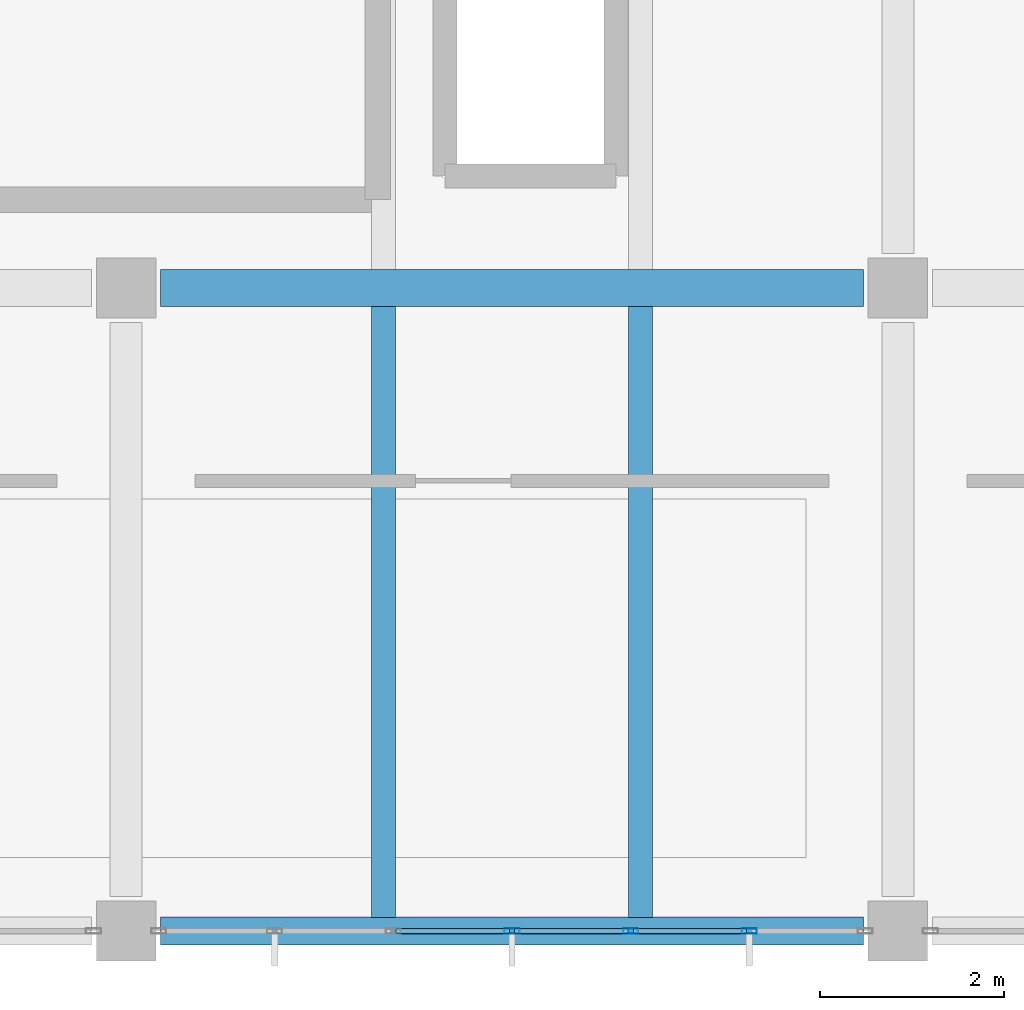
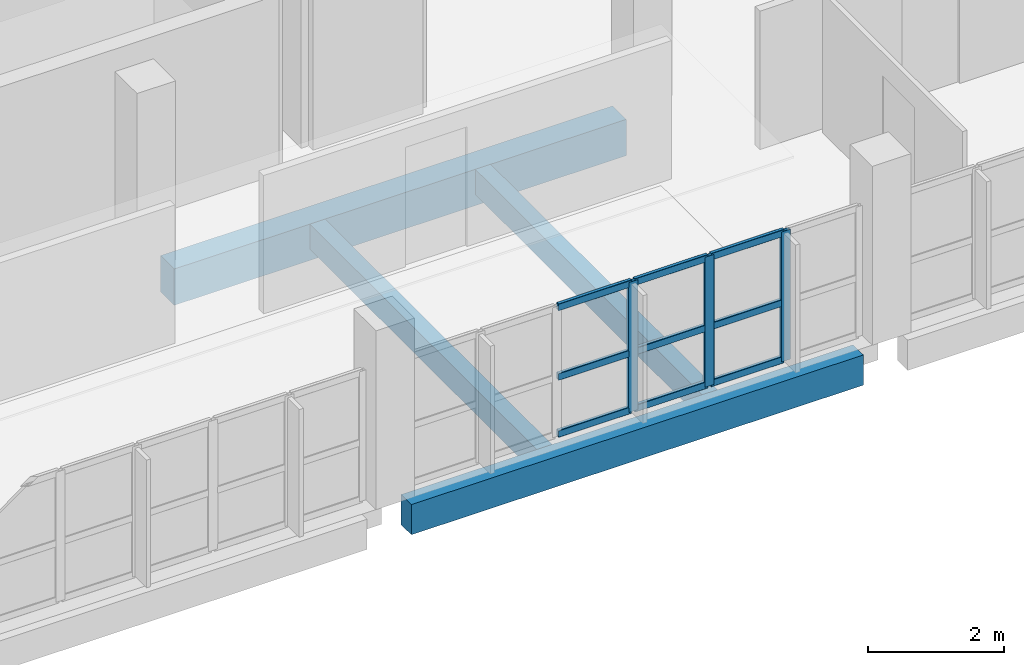
# One storey, part 7 of 33: 12 members, 4 beams, 1 element without a shape of its own.
"""IFC4 building model written with IfcOpenShell, lengths in metres."""

from ifc_helpers import new_model, si_unit, direction, frame, origin, origin_2d, place, context, subcontext, project, spatial, rectangle, hollow_rectangle, extrude, material, layer, layer_set, material_profile, profile_set, type_object, element, aggregate, save


model = new_model("IFC4")

# Units and contexts
model_context = context("Model", 3, precision=1e-05, world=origin(), true_north=direction((0.0, 1.0)))
body_context = subcontext(model_context, "Body", "Model", "MODEL_VIEW")
ifc_project = project(units=[si_unit("LENGTHUNIT", "METRE"), si_unit("AREAUNIT", "SQUARE_METRE"), si_unit("VOLUMEUNIT", "CUBIC_METRE"), si_unit("PLANEANGLEUNIT", "RADIAN"), si_unit("MASSUNIT", "GRAM", prefix="KILO"), si_unit("THERMODYNAMICTEMPERATUREUNIT", "KELVIN"), si_unit("POWERUNIT", "WATT")], contexts=[model_context])

# Site, building, storey
site_placement = place(None, origin())
site = spatial("IfcSite", under=ifc_project, at=site_placement, CompositionType="ELEMENT")
building_placement = place(site_placement, origin())
building = spatial("IfcBuilding", under=site, at=building_placement, Name="Mavoryth Pier Ferry Terminal", CompositionType="ELEMENT")
storey_placement = place(building_placement, frame((0.0, 0.0, 13.1201171875)))
storey = spatial("IfcBuildingStorey", under=building, at=storey_placement, Name="L03", CompositionType="ELEMENT", Elevation=13.1201171875)

# Beams
ifc_material_1 = material(Name="Concrete C35/45", Category="concrete")
ifc_material_profile_1 = material_profile(ifc_material_1, rectangle(XDim=0.39990234375, YDim=0.64990234375, at=origin_2d()), Name="RC 400x650", Category="concrete")
ifc_profile_set_1 = profile_set([ifc_material_profile_1], Name="Concrete C35/45 - RC 400x650")
beam_type_1 = type_object("IfcBeamType", Name="Girder-RC-400x650", PredefinedType="BEAM", material=ifc_profile_set_1)
beam_1_placement = place(storey_placement, frame((67.574951171875, 7.0, -0.585205078125), z_axis=(1.0, 0.0, 0.0), x_axis=(0.0, 1.0, 0.0)))
element("IfcBeam", 1, at=beam_1_placement, inside=storey, type_object=beam_type_1, Name="Beam B03-BG05-1242", PredefinedType="BEAM", context=body_context, shape_type="SweptSolid", body=[
    extrude(rectangle(XDim=0.39990234375, YDim=0.64990234375, at=origin_2d()), origin(), (0.0, 0.0, 1.0), 7.650146484375),
])
ifc_material_profile_2 = material_profile(ifc_material_1, rectangle(XDim=0.260009765625, YDim=0.449951171875, at=origin_2d()), Name="RC 260x450", Category="concrete")
ifc_profile_set_2 = profile_set([ifc_material_profile_2], Name="Concrete C35/45 - RC 260x450")
beam_type_2 = type_object("IfcBeamType", Name="Joist-RC-260x450", PredefinedType="JOIST", material=ifc_profile_set_2)
for number, where, z_axis, x_axis, name in (
    (2, (70.0, 0.14990234375, -0.485107421875), (0.0, 1.0, 0.0), (-1.0, 0.0, 0.0), "Beam B03-BJ03-1292"),
    (3, (72.800048828125, 0.14990234375, -0.485107421875), (0.0, 1.0, 0.0), (-1.0, 0.0, 0.0), "Beam B03-BJ03-1293"),
):
    element("IfcBeam", number, at=place(storey_placement, frame(where, z_axis=z_axis, x_axis=x_axis)), inside=storey, type_object=beam_type_2, Name=name, PredefinedType="JOIST", context=body_context, shape_type="SweptSolid", body=[
        extrude(rectangle(XDim=0.260009765625, YDim=0.449951171875, at=origin_2d()), origin(), (0.0, 0.0, 1.0), 6.650146484375),
    ])

# Curtain wall, members
ifc_material_2 = material(Name="Anodised Aluminium and Solar-Control Low-E Glass", Category="aluminium")
ifc_layer = layer(ifc_material_2, 0.239990234375, Name="Anodised Aluminium and Solar-Control Low-E Glass", Category="aluminium")
ifc_layer_set = layer_set([ifc_layer], Name="Anodised Aluminium and Solar-Control Low-E Glass - CW-Operations-Mod1200")
curtain_wall_type = type_object("IfcCurtainWallType", Name="CW-Operations-Mod1200", PredefinedType="USERDEFINED", material=ifc_layer_set)
curtain_wall_placement = place(storey_placement, origin())
curtain_wall = element("IfcCurtainWall", 4, at=curtain_wall_placement, inside=storey, type_object=curtain_wall_type, Name="Curtain Wall CW-0322-142", ObjectType="UNITISED CURTAIN WALL", PredefinedType="USERDEFINED")
ifc_material_3 = material(Name="Anodised Aluminium EN AW-6063", Category="aluminium")
ifc_material_profile_3 = material_profile(ifc_material_3, hollow_rectangle(XDim=0.06005859375, YDim=0.1650390625, WallThickness=0.00390625, InnerFilletRadius=0.00390625, OuterFilletRadius=0.008056640625, at=origin_2d()), Name="AL-MULL 165x60x4", Category="aluminium")
ifc_profile_set_3 = profile_set([ifc_material_profile_3], Name="Anodised Aluminium EN AW-6063 - AL-MULL 165x60x4")
member_type_1 = type_object("IfcMemberType", Name="Mullion-Alum-165x60", PredefinedType="MULLION", material=ifc_profile_set_3)
member_1_placement = place(storey_placement, frame((71.39990234375, 0.0, 0.0), z_axis=(0.0, 0.0, 1.0), x_axis=(0.0, 1.0, 0.0)))
member_1 = element("IfcMember", 5, at=member_1_placement, type_object=member_type_1, Name="CW06 mullion 4", PredefinedType="MULLION", context=body_context, shape_type="SweptSolid", body=[
    extrude(hollow_rectangle(XDim=0.06005859375, YDim=0.1650390625, WallThickness=0.00390625, InnerFilletRadius=0.00390625, OuterFilletRadius=0.008056640625, at=origin_2d()), origin(), (0.0, 0.0, 1.0), 2.324951171875),
])
member_2_placement = place(storey_placement, frame((72.691650390625, 0.0, 0.0), z_axis=(0.0, 0.0, 1.0), x_axis=(0.0, 1.0, 0.0)))
member_2 = element("IfcMember", 6, at=member_2_placement, type_object=member_type_1, Name="CW06 mullion 5", PredefinedType="MULLION", context=body_context, shape_type="SweptSolid", body=[
    extrude(hollow_rectangle(XDim=0.06005859375, YDim=0.1650390625, WallThickness=0.00390625, InnerFilletRadius=0.00390625, OuterFilletRadius=0.008056640625, at=origin_2d()), origin(), (0.0, 0.0, 1.0), 2.324951171875),
])
member_3_placement = place(storey_placement, frame((73.9833984375, 0.0, 0.0), z_axis=(0.0, 0.0, 1.0), x_axis=(0.0, 1.0, 0.0)))
member_3 = element("IfcMember", 7, at=member_3_placement, type_object=member_type_1, Name="CW06 mullion 6", PredefinedType="MULLION", context=body_context, shape_type="SweptSolid", body=[
    extrude(hollow_rectangle(XDim=0.06005859375, YDim=0.1650390625, WallThickness=0.00390625, InnerFilletRadius=0.00390625, OuterFilletRadius=0.008056640625, at=origin_2d()), origin(), (0.0, 0.0, 1.0), 2.324951171875),
])

# Beam
ifc_material_profile_4 = material_profile(ifc_material_1, rectangle(XDim=0.300048828125, YDim=0.5400390625, at=origin_2d()), Name="RC 300x540", Category="concrete")
ifc_profile_set_4 = profile_set([ifc_material_profile_4], Name="Concrete C35/45 - RC 300x540")
beam_type_3 = type_object("IfcBeamType", Name="Spandrel-RC-300x540", PredefinedType="SPANDREL", material=ifc_profile_set_4)
beam_2_placement = place(storey_placement, frame((67.574951171875, 0.0, -0.530029296875), z_axis=(1.0, 0.0, 0.0), x_axis=(0.0, 1.0, 0.0)))
element("IfcBeam", 8, at=beam_2_placement, inside=storey, type_object=beam_type_3, Name="Beam B03-SP02-1236", PredefinedType="SPANDREL", context=body_context, shape_type="SweptSolid", body=[
    extrude(rectangle(XDim=0.300048828125, YDim=0.5400390625, at=origin_2d()), origin(), (0.0, 0.0, 1.0), 7.650146484375),
])

# Member
ifc_material_profile_5 = material_profile(ifc_material_3, hollow_rectangle(XDim=0.06005859375, YDim=0.125, WallThickness=0.00390625, InnerFilletRadius=0.00390625, OuterFilletRadius=0.008056640625, at=origin_2d()), Name="AL-TRAN 125x60x4", Category="aluminium")
ifc_profile_set_5 = profile_set([ifc_material_profile_5], Name="Anodised Aluminium EN AW-6063 - AL-TRAN 125x60x4")
member_type_2 = type_object("IfcMemberType", Name="Transom-Alum-125x60", PredefinedType="USERDEFINED", material=ifc_profile_set_5)
member_4_placement = place(storey_placement, frame((70.138427734375, 0.0, 0.02978515625), z_axis=(1.0, 0.0, 0.0), x_axis=(0.0, 1.0, 0.0)))
member_4 = element("IfcMember", 9, at=member_4_placement, type_object=member_type_2, Name="CW06 transom 3.1", ObjectType="TRANSOM", PredefinedType="USERDEFINED", context=body_context, shape_type="SweptSolid", body=[
    extrude(hollow_rectangle(XDim=0.06005859375, YDim=0.125, WallThickness=0.00390625, InnerFilletRadius=0.00390625, OuterFilletRadius=0.008056640625, at=origin_2d()), origin(), (0.0, 0.0, 1.0), 1.231689453125),
])

member_5_placement = place(storey_placement, frame((70.138427734375, 0.0, 1.0498046875), z_axis=(1.0, 0.0, 0.0), x_axis=(0.0, 1.0, 0.0)))
member_5 = element("IfcMember", 10, at=member_5_placement, type_object=member_type_2, Name="CW06 transom 3.2", ObjectType="TRANSOM", PredefinedType="USERDEFINED", context=body_context, shape_type="SweptSolid", body=[
    extrude(hollow_rectangle(XDim=0.06005859375, YDim=0.125, WallThickness=0.00390625, InnerFilletRadius=0.00390625, OuterFilletRadius=0.008056640625, at=origin_2d()), origin(), (0.0, 0.0, 1.0), 1.231689453125),
])

member_6_placement = place(storey_placement, frame((70.138427734375, 0.0, 2.294921875), z_axis=(1.0, 0.0, 0.0), x_axis=(0.0, 1.0, 0.0)))
member_6 = element("IfcMember", 11, at=member_6_placement, type_object=member_type_2, Name="CW06 transom 3.3", ObjectType="TRANSOM", PredefinedType="USERDEFINED", context=body_context, shape_type="SweptSolid", body=[
    extrude(hollow_rectangle(XDim=0.06005859375, YDim=0.125, WallThickness=0.00390625, InnerFilletRadius=0.00390625, OuterFilletRadius=0.008056640625, at=origin_2d()), origin(), (0.0, 0.0, 1.0), 1.231689453125),
])

member_7_placement = place(storey_placement, frame((71.429931640625, 0.0, 0.02978515625), z_axis=(1.0, 0.0, 0.0), x_axis=(0.0, 1.0, 0.0)))
member_7 = element("IfcMember", 12, at=member_7_placement, type_object=member_type_2, Name="CW06 transom 4.1", ObjectType="TRANSOM", PredefinedType="USERDEFINED", context=body_context, shape_type="SweptSolid", body=[
    extrude(hollow_rectangle(XDim=0.06005859375, YDim=0.125, WallThickness=0.00390625, InnerFilletRadius=0.00390625, OuterFilletRadius=0.008056640625, at=origin_2d()), origin(), (0.0, 0.0, 1.0), 1.231689453125),
])

member_8_placement = place(storey_placement, frame((71.429931640625, 0.0, 1.0498046875), z_axis=(1.0, 0.0, 0.0), x_axis=(0.0, 1.0, 0.0)))
member_8 = element("IfcMember", 13, at=member_8_placement, type_object=member_type_2, Name="CW06 transom 4.2", ObjectType="TRANSOM", PredefinedType="USERDEFINED", context=body_context, shape_type="SweptSolid", body=[
    extrude(hollow_rectangle(XDim=0.06005859375, YDim=0.125, WallThickness=0.00390625, InnerFilletRadius=0.00390625, OuterFilletRadius=0.008056640625, at=origin_2d()), origin(), (0.0, 0.0, 1.0), 1.231689453125),
])

member_9_placement = place(storey_placement, frame((71.429931640625, 0.0, 2.294921875), z_axis=(1.0, 0.0, 0.0), x_axis=(0.0, 1.0, 0.0)))
member_9 = element("IfcMember", 14, at=member_9_placement, type_object=member_type_2, Name="CW06 transom 4.3", ObjectType="TRANSOM", PredefinedType="USERDEFINED", context=body_context, shape_type="SweptSolid", body=[
    extrude(hollow_rectangle(XDim=0.06005859375, YDim=0.125, WallThickness=0.00390625, InnerFilletRadius=0.00390625, OuterFilletRadius=0.008056640625, at=origin_2d()), origin(), (0.0, 0.0, 1.0), 1.231689453125),
])

member_10_placement = place(storey_placement, frame((72.7216796875, 0.0, 0.02978515625), z_axis=(1.0, 0.0, 0.0), x_axis=(0.0, 1.0, 0.0)))
member_10 = element("IfcMember", 15, at=member_10_placement, type_object=member_type_2, Name="CW06 transom 5.1", ObjectType="TRANSOM", PredefinedType="USERDEFINED", context=body_context, shape_type="SweptSolid", body=[
    extrude(hollow_rectangle(XDim=0.06005859375, YDim=0.125, WallThickness=0.00390625, InnerFilletRadius=0.00390625, OuterFilletRadius=0.008056640625, at=origin_2d()), origin(), (0.0, 0.0, 1.0), 1.231689453125),
])

member_11_placement = place(storey_placement, frame((72.7216796875, 0.0, 1.0498046875), z_axis=(1.0, 0.0, 0.0), x_axis=(0.0, 1.0, 0.0)))
member_11 = element("IfcMember", 16, at=member_11_placement, type_object=member_type_2, Name="CW06 transom 5.2", ObjectType="TRANSOM", PredefinedType="USERDEFINED", context=body_context, shape_type="SweptSolid", body=[
    extrude(hollow_rectangle(XDim=0.06005859375, YDim=0.125, WallThickness=0.00390625, InnerFilletRadius=0.00390625, OuterFilletRadius=0.008056640625, at=origin_2d()), origin(), (0.0, 0.0, 1.0), 1.231689453125),
])

member_12_placement = place(storey_placement, frame((72.7216796875, 0.0, 2.294921875), z_axis=(1.0, 0.0, 0.0), x_axis=(0.0, 1.0, 0.0)))
member_12 = element("IfcMember", 17, at=member_12_placement, type_object=member_type_2, Name="CW06 transom 5.3", ObjectType="TRANSOM", PredefinedType="USERDEFINED", context=body_context, shape_type="SweptSolid", body=[
    extrude(hollow_rectangle(XDim=0.06005859375, YDim=0.125, WallThickness=0.00390625, InnerFilletRadius=0.00390625, OuterFilletRadius=0.008056640625, at=origin_2d()), origin(), (0.0, 0.0, 1.0), 1.231689453125),
])

aggregate(curtain_wall, [member_1, member_2, member_3, member_4, member_5, member_6, member_7, member_8, member_9, member_10, member_11, member_12])

save(model, "model.ifc")
